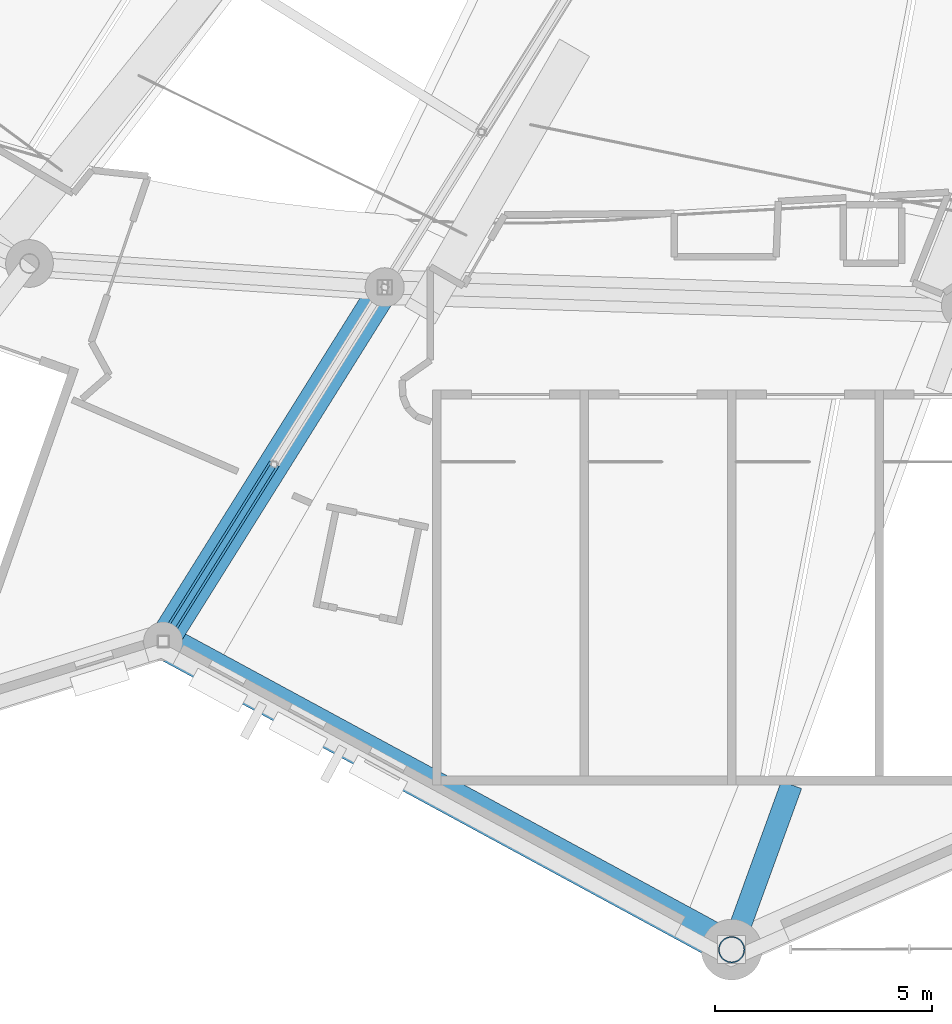
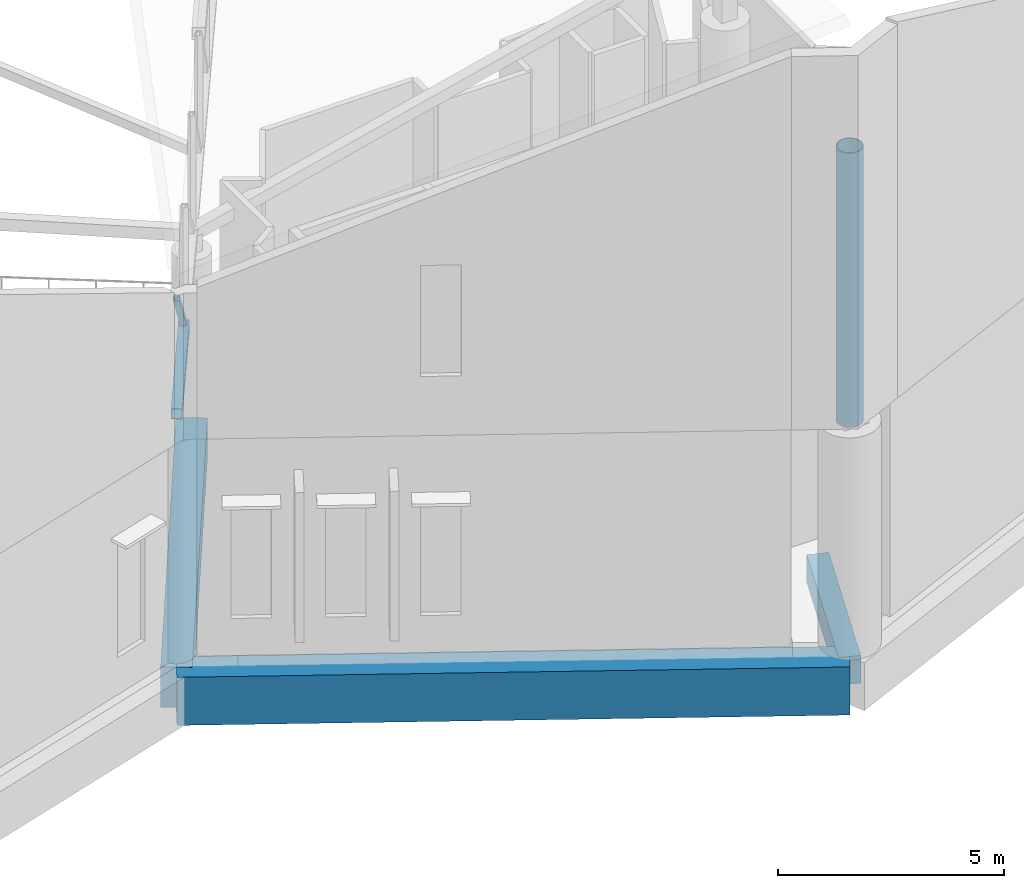
# One storey, part 5 of 344: 3 beams, 3 members.
"""IFC4 building model written with IfcOpenShell, lengths in metres."""

from ifc_helpers import new_model, si_unit, direction, frame, origin, origin_2d, place, context, subcontext, project, spatial, rectangle, hollow_rectangle, hollow_circle, extrude, material, material_profile, profile_set, type_object, element, save


model = new_model("IFC4")

# Units and contexts
model_context = context("Model", 3, precision=1e-05, world=origin(), true_north=direction((0.0, 1.0)))
body_context = subcontext(model_context, "Body", "Model", "MODEL_VIEW")
ifc_project = project(units=[si_unit("LENGTHUNIT", "METRE"), si_unit("AREAUNIT", "SQUARE_METRE"), si_unit("VOLUMEUNIT", "CUBIC_METRE"), si_unit("PLANEANGLEUNIT", "RADIAN"), si_unit("MASSUNIT", "GRAM", prefix="KILO")], contexts=[model_context])

# Site, building, storey
site_placement = place(None, origin())
site = spatial("IfcSite", under=ifc_project, at=site_placement, CompositionType="ELEMENT")
building_placement = place(site_placement, origin())
building = spatial("IfcBuilding", under=site, at=building_placement, Name="Meseta Stadium", CompositionType="ELEMENT")
storey_placement = place(building_placement, frame((0.0, 0.0, 24.0)))
storey = spatial("IfcBuildingStorey", under=building, at=storey_placement, Name="L04", CompositionType="ELEMENT", Elevation=24.0)

# Member
ifc_material_1 = material(Name="Steel S355", Category="steel")
ifc_material_profile_1 = material_profile(ifc_material_1, hollow_circle(Radius=0.304931640625, WallThickness=0.02490234375, at=origin_2d()), Name="CHS 610x25")
ifc_profile_set_1 = profile_set([ifc_material_profile_1], Name="Steel S355")
member_type_1 = type_object("IfcMemberType", Name="CHS 610x25 pylon post", PredefinedType="POST", material=ifc_profile_set_1)
member_1_placement = place(storey_placement, frame((-38.333251953125, -105.39990234375, 6.0), z_axis=(0.0, 0.0, 1.0), x_axis=(1.0, 0.0, 0.0)))
element("IfcMember", 1, at=member_1_placement, inside=storey, type_object=member_type_1, Name="GABLE ARCH GA-S pylon post", PredefinedType="POST", context=body_context, shape_type="SweptSolid", body=[
    extrude(hollow_circle(Radius=0.304931640625, WallThickness=0.02490234375, at=origin_2d()), origin(), (0.0, 0.0, 1.0), 7.412841796875),
])

# Beams
ifc_material_2 = material(Name="Concrete C40/50", Category="concrete")
ifc_material_profile_2 = material_profile(ifc_material_2, rectangle(XDim=0.5, YDim=0.75, at=origin_2d()), Name="RC 500x750")
ifc_profile_set_2 = profile_set([ifc_material_profile_2], Name="Concrete C40/50")
beam_type_1 = type_object("IfcBeamType", Name="RC beam 500x750", PredefinedType="BEAM", material=ifc_profile_set_2)
beam_1_placement = place(storey_placement, frame((-36.9541015625, -101.60009765625, -0.77490234375), z_axis=(-0.341175633366, -0.939999567658, 0.0), x_axis=(0.939999567658, -0.341175633366, 0.0)))
element("IfcBeam", 2, at=beam_1_placement, inside=storey, type_object=beam_type_1, Name="L04 radial beam frame 44 line P to R", PredefinedType="BEAM", context=body_context, shape_type="SweptSolid", body=[
    extrude(rectangle(XDim=0.5, YDim=0.75, at=origin_2d()), origin(), (0.0, 0.0, 1.0), 4.042236328125),
])
ifc_material_3 = material(Name="Concrete C40/50", Category="concrete")
ifc_material_profile_3 = material_profile(ifc_material_3, rectangle(XDim=0.699951171875, YDim=1.10009765625, at=origin_2d()), Name="RC 700x1100")
ifc_profile_set_3 = profile_set([ifc_material_profile_3], Name="Concrete C40/50")
beam_type_2 = type_object("IfcBeamType", Name="RC beam 700x1100", PredefinedType="BEAM", material=ifc_profile_set_3)
beam_2_placement = place(storey_placement, frame((-46.333251953125, -90.126220703125, -0.949951171875), z_axis=(-0.530224433937, -0.847857328597, 0.0), x_axis=(0.847857328597, -0.530224433937, 0.0)))
element("IfcBeam", 3, at=beam_2_placement, inside=storey, type_object=beam_type_2, Name="L04 radial beam frame 43 line P to R", PredefinedType="BEAM", context=body_context, shape_type="SweptSolid", body=[
    extrude(rectangle(XDim=0.699951171875, YDim=1.10009765625, at=origin_2d()), origin(), (0.0, 0.0, 1.0), 9.634033203125),
])
ifc_material_4 = material(Name="Concrete C40/50", Category="concrete")
ifc_material_profile_4 = material_profile(ifc_material_4, rectangle(XDim=0.800048828125, YDim=1.300048828125, at=origin_2d()), Name="RC 800x1300")
ifc_profile_set_4 = profile_set([ifc_material_profile_4], Name="Concrete C40/50")
beam_type_3 = type_object("IfcBeamType", Name="RC beam 800x1300", PredefinedType="BEAM", material=ifc_profile_set_4)
beam_3_placement = place(storey_placement, frame((-51.44140625, -98.29443359375, -1.050048828125), z_axis=(0.879145348638, -0.476553728311, 0.0), x_axis=(0.476553728311, 0.879145348638, 0.0)))
element("IfcBeam", 4, at=beam_3_placement, inside=storey, type_object=beam_type_3, Name="L04 ring beam frame 43 line R", PredefinedType="BEAM", context=body_context, shape_type="SweptSolid", body=[
    extrude(rectangle(XDim=0.800048828125, YDim=1.300048828125, at=origin_2d()), origin(), (0.0, 0.0, 1.0), 14.91015625),
])

# Members
ifc_material_5 = material(Name="Steel S355", Category="steel")
ifc_material_profile_5 = material_profile(ifc_material_5, hollow_rectangle(XDim=0.139892578125, YDim=0.139892578125, WallThickness=0.0048828125, at=origin_2d()), Name="SHS 140x140x5")
ifc_profile_set_5 = profile_set([ifc_material_profile_5], Name="Steel S355")
member_type_2 = type_object("IfcMemberType", Name="SHS 140x140x5 diagonal", PredefinedType="BRACE", material=ifc_profile_set_5)
member_2_placement = place(storey_placement, frame((-48.88720703125, -94.210205078125, 5.488037109375), z_axis=(-0.404209807189, -0.646341604327, 0.647191596275), x_axis=(0.847853060752, -0.530231258389, 0.0)))
element("IfcMember", 5, at=member_2_placement, inside=storey, type_object=member_type_2, Name="ROOF TRUSS RT-43 diagonal", PredefinedType="BRACE", context=body_context, shape_type="SweptSolid", body=[
    extrude(hollow_rectangle(XDim=0.139892578125, YDim=0.139892578125, WallThickness=0.0048828125, at=origin_2d()), origin(), (0.0, 0.0, 1.0), 6.319091796875),
])
ifc_material_6 = material(Name="Steel S355", Category="steel")
ifc_material_profile_6 = material_profile(ifc_material_6, hollow_rectangle(XDim=0.25, YDim=0.25, WallThickness=0.010009765625, at=origin_2d()), Name="SHS 250x250x10")
ifc_profile_set_6 = profile_set([ifc_material_profile_6], Name="Steel S355")
member_type_3 = type_object("IfcMemberType", Name="SHS 250x250x10 bottom chord", PredefinedType="CHORD", material=ifc_profile_set_6)
member_3_placement = place(storey_placement, frame((-48.88720703125, -94.210205078125, 5.488037109375), z_axis=(-0.521414943481, -0.833752467741, 0.181612993065), x_axis=(0.847852178841, -0.530232668585, 0.0)))
element("IfcMember", 6, at=member_3_placement, inside=storey, type_object=member_type_3, Name="ROOF TRUSS RT-43 bottom chord", PredefinedType="CHORD", context=body_context, shape_type="SweptSolid", body=[
    extrude(hollow_rectangle(XDim=0.25, YDim=0.25, WallThickness=0.010009765625, at=origin_2d()), origin(), (0.0, 0.0, 1.0), 4.773681640625),
])

save(model, "model.ifc")
